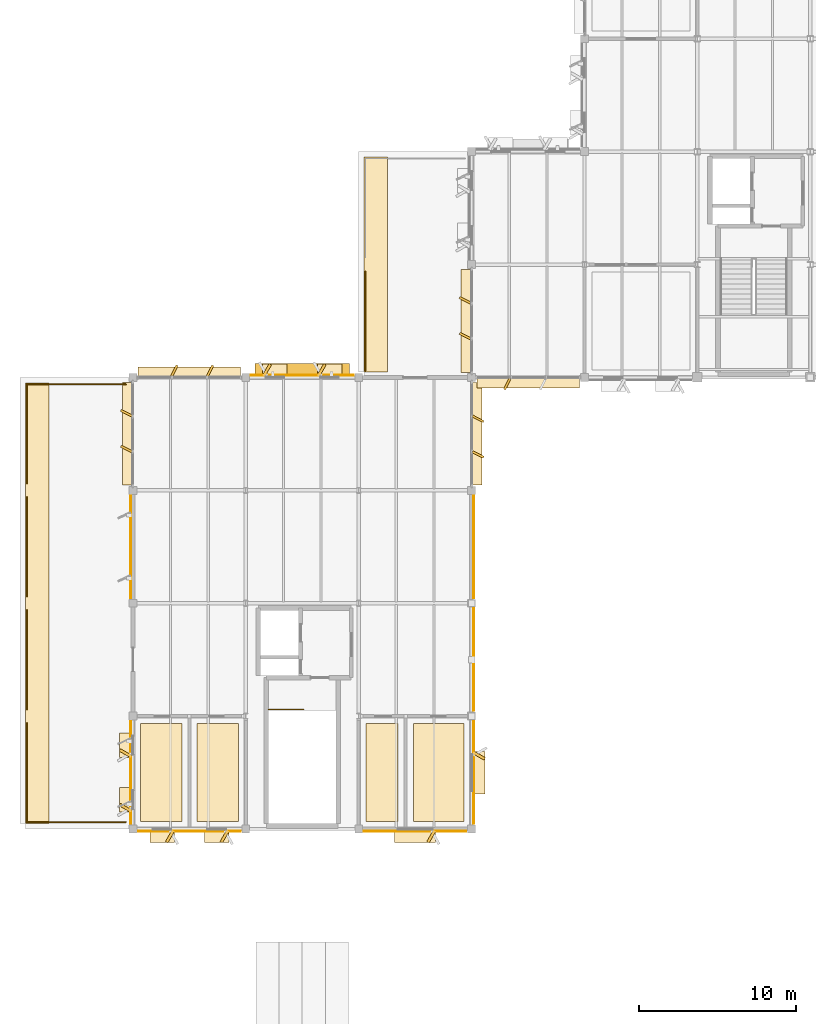
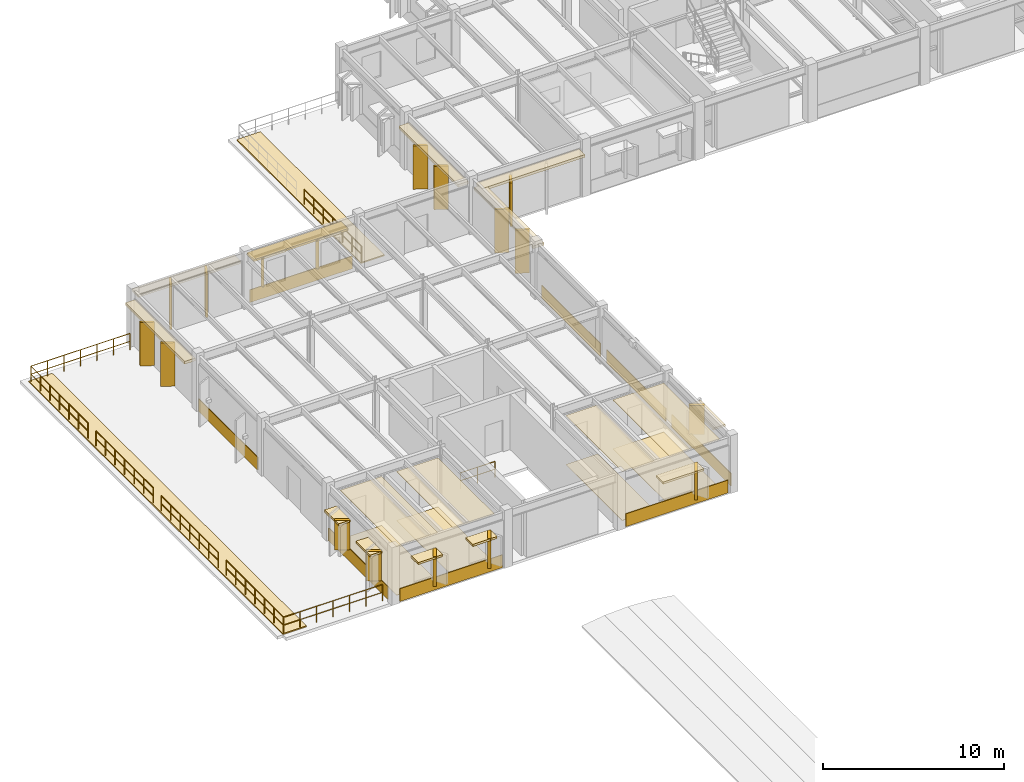
# One storey, part 31 of 35: 48 coverings, 8 railings, 1 shading device.
"""IFC4 building model written with IfcOpenShell, lengths in metres."""

from ifc_helpers import new_model, si_unit, direction, frame, frame_2d, origin, origin_2d, place, context, subcontext, project, spatial, polyline, rectangle, circle, outline, extrude, material, layer, layer_set, type_object, element, save


model = new_model("IFC4")

# Units and contexts
model_context = context("Model", 3, precision=1e-05, world=origin(), true_north=direction((0.0, 1.0)))
body_context = subcontext(model_context, "Body", "Model", "MODEL_VIEW")
ifc_project = project(units=[si_unit("LENGTHUNIT", "METRE"), si_unit("AREAUNIT", "SQUARE_METRE"), si_unit("VOLUMEUNIT", "CUBIC_METRE"), si_unit("PLANEANGLEUNIT", "RADIAN"), si_unit("MASSUNIT", "GRAM", prefix="KILO")], contexts=[model_context])

# Site, building, storey
site_placement = place(None, origin())
site = spatial("IfcSite", under=ifc_project, at=site_placement, CompositionType="ELEMENT")
building_placement = place(site_placement, origin())
building = spatial("IfcBuilding", under=site, at=building_placement, Name="Sillqori Civic Hall", CompositionType="ELEMENT")
storey_placement = place(building_placement, frame((0.0, 0.0, 18.0)))
storey = spatial("IfcBuildingStorey", under=building, at=storey_placement, Name="L05", CompositionType="ELEMENT", Elevation=18.0)

# Coverings
ifc_material_1 = material(Name="Perforated Acoustic Gypsum Board Ceiling", Category="gypsum")
ifc_layer_1 = layer(ifc_material_1, 0.030029296875)
ifc_layer_set_1 = layer_set([ifc_layer_1], Name="Perforated Acoustic Gypsum Board Ceiling")
covering_type_1 = type_object("IfcCoveringType", Name="COV-CEIL-GYP", PredefinedType="CEILING", material=ifc_layer_set_1)
covering_1_placement = place(storey_placement, frame((0.0, 0.0, 3.2958984375)))
element("IfcCovering", 1, at=covering_1_placement, inside=storey, type_object=covering_type_1, Name="L05 Public Male WC acoustic ceiling", PredefinedType="CEILING", context=body_context, shape_type="SweptSolid", body=[
    extrude(outline(polyline([(14.8798828125, 50.8798828125), (17.52001953125, 50.8798828125), (17.52001953125, 57.1201171875), (14.8798828125, 57.1201171875), (14.8798828125, 50.8798828125)])), origin(), (0.0, 0.0, 1.0), 0.030029296875),
])
ifc_material_2 = material(Name="Micro-Perforated Aluminium Plank Ceiling", Category="aluminium")
ifc_layer_2 = layer(ifc_material_2, 0.035888671875)
ifc_layer_set_2 = layer_set([ifc_layer_2], Name="Micro-Perforated Aluminium Plank Ceiling")
covering_type_2 = type_object("IfcCoveringType", Name="COV-CEIL-MET", PredefinedType="CEILING", material=ifc_layer_set_2)
covering_2_placement = place(storey_placement, frame((0.0, 0.0, 3.2900390625)))
element("IfcCovering", 2, at=covering_2_placement, inside=storey, type_object=covering_type_2, Name="L05 Staff Sanitary and Cleaners Room acoustic ceiling", PredefinedType="CEILING", context=body_context, shape_type="SweptSolid", body=[
    extrude(outline(polyline([(32.280029296875, 50.8798828125), (35.52001953125, 50.8798828125), (35.52001953125, 57.1201171875), (32.280029296875, 57.1201171875), (32.280029296875, 50.8798828125)])), origin(), (0.0, 0.0, 1.0), 0.035888671875),
])
ifc_material_3 = material(Name="Mineral-Fibre High-NRC Tile Ceiling", Category="gypsum")
ifc_layer_3 = layer(ifc_material_3, 0.02392578125)
ifc_layer_set_3 = layer_set([ifc_layer_3], Name="Mineral-Fibre High-NRC Tile Ceiling")
covering_type_3 = type_object("IfcCoveringType", Name="COV-CEIL-MIN", PredefinedType="CEILING", material=ifc_layer_set_3)
covering_3_placement = place(storey_placement, frame((0.0, 0.0, 3.302001953125)))
element("IfcCovering", 3, at=covering_3_placement, inside=storey, type_object=covering_type_3, Name="L05 Accessible WC acoustic ceiling", PredefinedType="CEILING", context=body_context, shape_type="SweptSolid", body=[
    extrude(outline(polyline([(29.280029296875, 50.8798828125), (31.320068359375, 50.8798828125), (31.320068359375, 57.1201171875), (29.280029296875, 57.1201171875), (29.280029296875, 50.8798828125)])), origin(), (0.0, 0.0, 1.0), 0.02392578125),
])
ifc_material_4 = material(Name="Slatted Andean Cedar Acoustic Baffle", Category="timber")
ifc_layer_4 = layer(ifc_material_4, 0.0419921875)
ifc_layer_set_4 = layer_set([ifc_layer_4], Name="Slatted Andean Cedar Acoustic Baffle")
covering_type_4 = type_object("IfcCoveringType", Name="COV-CEIL-TIM", PredefinedType="CEILING", material=ifc_layer_set_4)
covering_4_placement = place(storey_placement, frame((0.0, 0.0, 3.283935546875)))
element("IfcCovering", 4, at=covering_4_placement, inside=storey, type_object=covering_type_4, Name="L05 Public Female WC acoustic ceiling", PredefinedType="CEILING", context=body_context, shape_type="SweptSolid", body=[
    extrude(outline(polyline([(18.47998046875, 50.8798828125), (21.1201171875, 50.8798828125), (21.1201171875, 57.1201171875), (18.47998046875, 57.1201171875), (18.47998046875, 50.8798828125)])), origin(), (0.0, 0.0, 1.0), 0.0419921875),
])
ifc_material_5 = material(Name="Cochabamba Honed Limestone Cladding", Category="masonry")
ifc_layer_5 = layer(ifc_material_5, 0.044921875)
ifc_layer_set_5 = layer_set([ifc_layer_5], Name="Cochabamba Honed Limestone Cladding")
covering_type_5 = type_object("IfcCoveringType", Name="COV-CLAD-LIME", PredefinedType="CLADDING", material=ifc_layer_set_5)
covering_5_placement = place(storey_placement, frame((21.27001953125, 50.260009765625, 0.0400390625), z_axis=(0.0, 0.0, 1.0), x_axis=(-1.0, 0.0, 0.0)))
element("IfcCovering", 5, at=covering_5_placement, inside=storey, type_object=covering_type_5, Name="L05 limestone spandrel cladding L05-02-07-S", PredefinedType="CLADDING", context=body_context, shape_type="SweptSolid", body=[
    extrude(rectangle(XDim=6.5400390625, YDim=0.044921875, at=frame_2d((3.27001953125, 0.0))), origin(), (0.0, 0.0, 1.0), 0.85986328125),
])
covering_6_placement = place(storey_placement, frame((20.4619140625, 50.300048828125, 0.830078125), z_axis=(0.0, 0.0, 1.0), x_axis=(-0.499846793097, -0.866113839764, 0.0)))
element("IfcCovering", 6, at=covering_6_placement, inside=storey, type_object=covering_type_5, Name="Sawtooth limestone angled reveal cheek L05-02-07-S.1", PredefinedType="CLADDING", context=body_context, shape_type="SweptSolid", body=[
    extrude(rectangle(XDim=0.849853515625, YDim=0.179931640625, at=frame_2d((0.4248046875, 0.0))), origin(), (0.0, 0.0, 1.0), 2.0),
])
covering_7_placement = place(storey_placement, frame((20.52197265625, 49.919921875, 2.68994140625), z_axis=(0.0, 0.0, 1.0), x_axis=(-1.0, 0.0, 0.0)))
element("IfcCovering", 7, at=covering_7_placement, inside=storey, type_object=covering_type_5, Name="Sawtooth limestone window hood L05-02-07-S.1", PredefinedType="CLADDING", context=body_context, shape_type="SweptSolid", body=[
    extrude(rectangle(XDim=1.56005859375, YDim=0.780029296875, at=frame_2d((0.780029296875, 0.0))), origin(), (0.0, 0.0, 1.0), 0.14013671875),
])
covering_8_placement = place(storey_placement, frame((16.97802734375, 50.300048828125, 0.830078125), z_axis=(0.0, 0.0, 1.0), x_axis=(-0.500062241894, -0.865989465428, 0.0)))
element("IfcCovering", 8, at=covering_8_placement, inside=storey, type_object=covering_type_5, Name="Sawtooth limestone angled reveal cheek L05-02-07-S.2", PredefinedType="CLADDING", context=body_context, shape_type="SweptSolid", body=[
    extrude(rectangle(XDim=0.85009765625, YDim=0.179931640625, at=frame_2d((0.425048828125, 0.0))), origin(), (0.0, 0.0, 1.0), 2.0),
])
covering_9_placement = place(storey_placement, frame((17.0380859375, 49.919921875, 2.68994140625), z_axis=(0.0, 0.0, 1.0), x_axis=(-1.0, 0.0, 0.0)))
element("IfcCovering", 9, at=covering_9_placement, inside=storey, type_object=covering_type_5, Name="Sawtooth limestone window hood L05-02-07-S.2", PredefinedType="CLADDING", context=body_context, shape_type="SweptSolid", body=[
    extrude(rectangle(XDim=1.56005859375, YDim=0.780029296875, at=frame_2d((0.780029296875, 0.0))), origin(), (0.0, 0.0, 1.0), 0.14013671875),
])
covering_10_placement = place(storey_placement, frame((14.260009765625, 50.72998046875, 0.0400390625), z_axis=(0.0, 0.0, 1.0), x_axis=(0.0, 1.0, 0.0)))
element("IfcCovering", 10, at=covering_10_placement, inside=storey, type_object=covering_type_5, Name="L05 limestone spandrel cladding L05-02-07-W", PredefinedType="CLADDING", context=body_context, shape_type="SweptSolid", body=[
    extrude(rectangle(XDim=6.5400390625, YDim=0.044921875, at=frame_2d((3.27001953125, 0.0))), origin(), (0.0, 0.0, 1.0), 0.85986328125),
])
covering_11_placement = place(storey_placement, frame((14.300048828125, 51.5380859375, 0.830078125), z_axis=(0.0, 0.0, 1.0), x_axis=(-0.866113839764, 0.499846793097, 0.0)))
element("IfcCovering", 11, at=covering_11_placement, inside=storey, type_object=covering_type_5, Name="Sawtooth limestone angled reveal cheek L05-02-07-W.1", PredefinedType="CLADDING", context=body_context, shape_type="SweptSolid", body=[
    extrude(rectangle(XDim=0.849853515625, YDim=0.179931640625, at=frame_2d((0.4248046875, 0.0))), origin(), (0.0, 0.0, 1.0), 2.0),
])
covering_12_placement = place(storey_placement, frame((13.919921875, 51.47802734375, 2.68994140625), z_axis=(0.0, 0.0, 1.0), x_axis=(0.0, 1.0, 0.0)))
element("IfcCovering", 12, at=covering_12_placement, inside=storey, type_object=covering_type_5, Name="Sawtooth limestone window hood L05-02-07-W.1", PredefinedType="CLADDING", context=body_context, shape_type="SweptSolid", body=[
    extrude(rectangle(XDim=1.56005859375, YDim=0.780029296875, at=frame_2d((0.780029296875, 0.0))), origin(), (0.0, 0.0, 1.0), 0.14013671875),
])
covering_13_placement = place(storey_placement, frame((14.300048828125, 55.02197265625, 0.830078125), z_axis=(0.0, 0.0, 1.0), x_axis=(-0.865989465428, 0.500062241894, 0.0)))
element("IfcCovering", 13, at=covering_13_placement, inside=storey, type_object=covering_type_5, Name="Sawtooth limestone angled reveal cheek L05-02-07-W.2", PredefinedType="CLADDING", context=body_context, shape_type="SweptSolid", body=[
    extrude(rectangle(XDim=0.85009765625, YDim=0.179931640625, at=frame_2d((0.425048828125, 0.0))), origin(), (0.0, 0.0, 1.0), 2.0),
])
covering_14_placement = place(storey_placement, frame((13.919921875, 54.9619140625, 2.68994140625), z_axis=(0.0, 0.0, 1.0), x_axis=(0.0, 1.0, 0.0)))
element("IfcCovering", 14, at=covering_14_placement, inside=storey, type_object=covering_type_5, Name="Sawtooth limestone window hood L05-02-07-W.2", PredefinedType="CLADDING", context=body_context, shape_type="SweptSolid", body=[
    extrude(rectangle(XDim=1.56005859375, YDim=0.780029296875, at=frame_2d((0.780029296875, 0.0))), origin(), (0.0, 0.0, 1.0), 0.14013671875),
])
covering_15_placement = place(storey_placement, frame((14.260009765625, 65.1298828125, 0.0400390625), z_axis=(0.0, 0.0, 1.0), x_axis=(0.0, 1.0, 0.0)))
element("IfcCovering", 15, at=covering_15_placement, inside=storey, type_object=covering_type_5, Name="L05 limestone spandrel cladding L05-02-09-W", PredefinedType="CLADDING", context=body_context, shape_type="SweptSolid", body=[
    extrude(rectangle(XDim=6.5400390625, YDim=0.044921875, at=frame_2d((3.27001953125, 0.0))), origin(), (0.0, 0.0, 1.0), 0.85986328125),
])
covering_16_placement = place(storey_placement, frame((14.72998046875, 79.52001953125, 2.991943359375), z_axis=(0.0, 0.0, 1.0), x_axis=(1.0, 0.0, 0.0)))
element("IfcCovering", 16, at=covering_16_placement, inside=storey, type_object=covering_type_5, Name="L05 curtain-wall limestone solar hood L05-02-10-N", PredefinedType="CLADDING", context=body_context, shape_type="SweptSolid", body=[
    extrude(rectangle(XDim=6.5400390625, YDim=0.679931640625, at=frame_2d((3.27001953125, 0.0))), origin(), (0.0, 0.0, 1.0), 0.18017578125),
])
for number, where, z_axis, x_axis, name in (
    (17, (16.861083984375, 79.25, 0.06005859375), (0.0, 0.0, 1.0), (0.44709226377, 0.894487846579, 0.0), "L05 curtain-wall angled stone fin L05-02-10-N.1"),
    (18, (19.138916015625, 79.25, 0.06005859375), (0.0, 0.0, 1.0), (0.447334902547, 0.894366527193, 0.0), "L05 curtain-wall angled stone fin L05-02-10-N.2"),
):
    element("IfcCovering", number, at=place(storey_placement, frame(where, z_axis=z_axis, x_axis=x_axis)), inside=storey, type_object=covering_type_5, Name=name, PredefinedType="CLADDING", context=body_context, shape_type="SweptSolid", body=[
        extrude(rectangle(XDim=0.804931640625, YDim=0.139892578125, at=frame_2d((0.40234375, 0.0))), origin(), (0.0, 0.0, 1.0), 2.931884765625),
    ])
covering_17_placement = place(storey_placement, frame((14.080078125, 72.330078125, 2.991943359375), z_axis=(0.0, 0.0, 1.0), x_axis=(0.0, 1.0, 0.0)))
element("IfcCovering", 19, at=covering_17_placement, inside=storey, type_object=covering_type_5, Name="L05 curtain-wall limestone solar hood L05-02-10-W", PredefinedType="CLADDING", context=body_context, shape_type="SweptSolid", body=[
    extrude(rectangle(XDim=6.5400390625, YDim=0.679931640625, at=frame_2d((3.27001953125, 0.0))), origin(), (0.0, 0.0, 1.0), 0.18017578125),
])
for number, where, z_axis, x_axis, name in (
    (20, (14.35009765625, 74.4609375, 0.06005859375), (0.0, 0.0, 1.0), (-0.894427191, 0.4472135955, 0.0), "L05 curtain-wall angled stone fin L05-02-10-W.1"),
    (21, (14.35009765625, 76.739013671875, 0.06005859375), (0.0, 0.0, 1.0), (-0.894427191, 0.4472135955, 0.0), "L05 curtain-wall angled stone fin L05-02-10-W.2"),
):
    element("IfcCovering", number, at=place(storey_placement, frame(where, z_axis=z_axis, x_axis=x_axis)), inside=storey, type_object=covering_type_5, Name=name, PredefinedType="CLADDING", context=body_context, shape_type="SweptSolid", body=[
        extrude(rectangle(XDim=0.80517578125, YDim=0.139892578125, at=frame_2d((0.402587890625, 0.0))), origin(), (0.0, 0.0, 1.0), 2.931884765625),
    ])
covering_18_placement = place(storey_placement, frame((21.929931640625, 79.340087890625, 0.0400390625), z_axis=(0.0, 0.0, 1.0), x_axis=(1.0, 0.0, 0.0)))
element("IfcCovering", 22, at=covering_18_placement, inside=storey, type_object=covering_type_5, Name="L05 limestone spandrel cladding L05-03-10-N", PredefinedType="CLADDING", context=body_context, shape_type="SweptSolid", body=[
    extrude(rectangle(XDim=6.5400390625, YDim=0.044921875, at=frame_2d((3.27001953125, 0.0))), origin(), (0.0, 0.0, 1.0), 0.85986328125),
])
covering_19_placement = place(storey_placement, frame((22.738037109375, 79.300048828125, 0.830078125), z_axis=(0.0, 0.0, 1.0), x_axis=(0.500062241894, 0.865989465428, 0.0)))
element("IfcCovering", 23, at=covering_19_placement, inside=storey, type_object=covering_type_5, Name="Sawtooth limestone angled reveal cheek L05-03-10-N.1", PredefinedType="CLADDING", context=body_context, shape_type="SweptSolid", body=[
    extrude(rectangle(XDim=0.85009765625, YDim=0.179931640625, at=frame_2d((0.425048828125, 0.0))), origin(), (0.0, 0.0, 1.0), 2.0),
])
covering_20_placement = place(storey_placement, frame((22.677978515625, 79.679931640625, 2.68994140625), z_axis=(0.0, 0.0, 1.0), x_axis=(1.0, 0.0, 0.0)))
element("IfcCovering", 24, at=covering_20_placement, inside=storey, type_object=covering_type_5, Name="Sawtooth limestone window hood L05-03-10-N.1", PredefinedType="CLADDING", context=body_context, shape_type="SweptSolid", body=[
    extrude(rectangle(XDim=1.56005859375, YDim=0.780029296875, at=frame_2d((0.780029296875, 0.0))), origin(), (0.0, 0.0, 1.0), 0.14013671875),
])
covering_21_placement = place(storey_placement, frame((26.221923828125, 79.300048828125, 0.830078125), z_axis=(0.0, 0.0, 1.0), x_axis=(0.500062241894, 0.865989465428, 0.0)))
element("IfcCovering", 25, at=covering_21_placement, inside=storey, type_object=covering_type_5, Name="Sawtooth limestone angled reveal cheek L05-03-10-N.2", PredefinedType="CLADDING", context=body_context, shape_type="SweptSolid", body=[
    extrude(rectangle(XDim=0.85009765625, YDim=0.179931640625, at=frame_2d((0.425048828125, 0.0))), origin(), (0.0, 0.0, 1.0), 2.0),
])
covering_22_placement = place(storey_placement, frame((26.162109375, 79.679931640625, 2.68994140625), z_axis=(0.0, 0.0, 1.0), x_axis=(1.0, 0.0, 0.0)))
element("IfcCovering", 26, at=covering_22_placement, inside=storey, type_object=covering_type_5, Name="Sawtooth limestone window hood L05-03-10-N.2", PredefinedType="CLADDING", context=body_context, shape_type="SweptSolid", body=[
    extrude(rectangle(XDim=1.559814453125, YDim=0.780029296875, at=frame_2d((0.77978515625, 0.0))), origin(), (0.0, 0.0, 1.0), 0.14013671875),
])
covering_23_placement = place(storey_placement, frame((35.669921875, 50.260009765625, 0.0400390625), z_axis=(0.0, 0.0, 1.0), x_axis=(-1.0, 0.0, 0.0)))
element("IfcCovering", 27, at=covering_23_placement, inside=storey, type_object=covering_type_5, Name="L05 limestone spandrel cladding L05-04-07-S", PredefinedType="CLADDING", context=body_context, shape_type="SweptSolid", body=[
    extrude(rectangle(XDim=6.5400390625, YDim=0.044921875, at=frame_2d((3.27001953125, 0.0))), origin(), (0.0, 0.0, 1.0), 0.85986328125),
])
covering_24_placement = place(storey_placement, frame((33.64501953125, 50.300048828125, 0.830078125), z_axis=(0.0, 0.0, 1.0), x_axis=(-0.500062241894, -0.865989465428, 0.0)))
element("IfcCovering", 28, at=covering_24_placement, inside=storey, type_object=covering_type_5, Name="Sawtooth limestone angled reveal cheek L05-04-07-S.1", PredefinedType="CLADDING", context=body_context, shape_type="SweptSolid", body=[
    extrude(rectangle(XDim=0.85009765625, YDim=0.179931640625, at=frame_2d((0.425048828125, 0.0))), origin(), (0.0, 0.0, 1.0), 1.949951171875),
])
covering_25_placement = place(storey_placement, frame((33.705078125, 49.919921875, 2.639892578125), z_axis=(0.0, 0.0, 1.0), x_axis=(-1.0, 0.0, 0.0)))
element("IfcCovering", 29, at=covering_25_placement, inside=storey, type_object=covering_type_5, Name="Sawtooth limestone window hood L05-04-07-S.1", PredefinedType="CLADDING", context=body_context, shape_type="SweptSolid", body=[
    extrude(rectangle(XDim=2.610107421875, YDim=0.780029296875, at=frame_2d((1.30517578125, 0.0))), origin(), (0.0, 0.0, 1.0), 0.14013671875),
])
covering_26_placement = place(storey_placement, frame((36.139892578125, 57.27001953125, 0.0400390625), z_axis=(0.0, 0.0, 1.0), x_axis=(0.0, -1.0, 0.0)))
element("IfcCovering", 30, at=covering_26_placement, inside=storey, type_object=covering_type_5, Name="L05 limestone spandrel cladding L05-04-07-E", PredefinedType="CLADDING", context=body_context, shape_type="SweptSolid", body=[
    extrude(rectangle(XDim=6.5400390625, YDim=0.044921875, at=frame_2d((3.27001953125, 0.0))), origin(), (0.0, 0.0, 1.0), 0.85986328125),
])
covering_27_placement = place(storey_placement, frame((36.10009765625, 55.294921875, 0.830078125), z_axis=(0.0, 0.0, 1.0), x_axis=(0.866113839764, -0.499846793097, 0.0)))
element("IfcCovering", 31, at=covering_27_placement, inside=storey, type_object=covering_type_5, Name="Sawtooth limestone angled reveal cheek L05-04-07-E.1", PredefinedType="CLADDING", context=body_context, shape_type="SweptSolid", body=[
    extrude(rectangle(XDim=0.849853515625, YDim=0.179931640625, at=frame_2d((0.4248046875, 0.0))), origin(), (0.0, 0.0, 1.0), 1.949951171875),
])
covering_28_placement = place(storey_placement, frame((36.47998046875, 55.35498046875, 2.639892578125), z_axis=(0.0, 0.0, 1.0), x_axis=(0.0, -1.0, 0.0)))
element("IfcCovering", 32, at=covering_28_placement, inside=storey, type_object=covering_type_5, Name="Sawtooth limestone window hood L05-04-07-E.1", PredefinedType="CLADDING", context=body_context, shape_type="SweptSolid", body=[
    extrude(rectangle(XDim=2.7099609375, YDim=0.780029296875, at=frame_2d((1.35498046875, 0.0))), origin(), (0.0, 0.0, 1.0), 0.14013671875),
])
for number, where, z_axis, x_axis, name in (
    (33, (36.139892578125, 64.469970703125, 0.0400390625), (0.0, 0.0, 1.0), (0.0, -1.0, 0.0), "L05 limestone spandrel cladding L05-04-08-E"),
    (34, (36.139892578125, 71.669921875, 0.0400390625), (0.0, 0.0, 1.0), (0.0, -1.0, 0.0), "L05 limestone spandrel cladding L05-04-09-E"),
):
    element("IfcCovering", number, at=place(storey_placement, frame(where, z_axis=z_axis, x_axis=x_axis)), inside=storey, type_object=covering_type_5, Name=name, PredefinedType="CLADDING", context=body_context, shape_type="SweptSolid", body=[
        extrude(rectangle(XDim=6.5400390625, YDim=0.044921875, at=frame_2d((3.27001953125, 0.0))), origin(), (0.0, 0.0, 1.0), 0.85986328125),
    ])
covering_29_placement = place(storey_placement, frame((36.320068359375, 78.8701171875, 2.991943359375), z_axis=(0.0, 0.0, 1.0), x_axis=(0.0, -1.0, 0.0)))
element("IfcCovering", 35, at=covering_29_placement, inside=storey, type_object=covering_type_5, Name="L05 curtain-wall limestone solar hood L05-04-10-E", PredefinedType="CLADDING", context=body_context, shape_type="SweptSolid", body=[
    extrude(rectangle(XDim=6.5400390625, YDim=0.679931640625, at=frame_2d((3.27001953125, 0.0))), origin(), (0.0, 0.0, 1.0), 0.18017578125),
])
for number, where, z_axis, x_axis, name in (
    (36, (36.050048828125, 76.739013671875, 0.06005859375), (0.0, 0.0, 1.0), (0.894366527193, -0.447334902547, 0.0), "L05 curtain-wall angled stone fin L05-04-10-E.1"),
    (37, (36.050048828125, 74.4609375, 0.06005859375), (0.0, 0.0, 1.0), (0.894487846579, -0.44709226377, 0.0), "L05 curtain-wall angled stone fin L05-04-10-E.2"),
):
    element("IfcCovering", number, at=place(storey_placement, frame(where, z_axis=z_axis, x_axis=x_axis)), inside=storey, type_object=covering_type_5, Name=name, PredefinedType="CLADDING", context=body_context, shape_type="SweptSolid", body=[
        extrude(rectangle(XDim=0.804931640625, YDim=0.139892578125, at=frame_2d((0.40234375, 0.0))), origin(), (0.0, 0.0, 1.0), 2.931884765625),
    ])
covering_30_placement = place(storey_placement, frame((42.8701171875, 78.8798828125, 2.991943359375), z_axis=(0.0, 0.0, 1.0), x_axis=(-1.0, 0.0, 0.0)))
element("IfcCovering", 38, at=covering_30_placement, inside=storey, type_object=covering_type_5, Name="L05 curtain-wall limestone solar hood L05-05-11-S", PredefinedType="CLADDING", context=body_context, shape_type="SweptSolid", body=[
    extrude(rectangle(XDim=6.5400390625, YDim=0.679931640625, at=frame_2d((3.27001953125, 0.0))), origin(), (0.0, 0.0, 1.0), 0.18017578125),
])
covering_31_placement = place(storey_placement, frame((38.4609375, 79.14990234375, 0.06005859375), z_axis=(0.0, 0.0, 1.0), x_axis=(-0.44709226377, -0.894487846579, 0.0)))
element("IfcCovering", 39, at=covering_31_placement, inside=storey, type_object=covering_type_5, Name="L05 curtain-wall angled stone fin L05-05-11-S.2", PredefinedType="CLADDING", context=body_context, shape_type="SweptSolid", body=[
    extrude(rectangle(XDim=0.804931640625, YDim=0.139892578125, at=frame_2d((0.40234375, 0.0))), origin(), (0.0, 0.0, 1.0), 2.931884765625),
])
covering_32_placement = place(storey_placement, frame((35.679931640625, 79.530029296875, 2.991943359375), z_axis=(0.0, 0.0, 1.0), x_axis=(0.0, 1.0, 0.0)))
element("IfcCovering", 40, at=covering_32_placement, inside=storey, type_object=covering_type_5, Name="L05 curtain-wall limestone solar hood L05-05-11-W", PredefinedType="CLADDING", context=body_context, shape_type="SweptSolid", body=[
    extrude(rectangle(XDim=6.5400390625, YDim=0.679931640625, at=frame_2d((3.27001953125, 0.0))), origin(), (0.0, 0.0, 1.0), 0.18017578125),
])
for number, where, z_axis, x_axis, name in (
    (41, (35.949951171875, 81.660888671875, 0.06005859375), (0.0, 0.0, 1.0), (-0.894366527193, 0.447334902547, 0.0), "L05 curtain-wall angled stone fin L05-05-11-W.1"),
    (42, (35.949951171875, 83.93896484375, 0.06005859375), (0.0, 0.0, 1.0), (-0.894366527193, 0.447334902547, 0.0), "L05 curtain-wall angled stone fin L05-05-11-W.2"),
):
    element("IfcCovering", number, at=place(storey_placement, frame(where, z_axis=z_axis, x_axis=x_axis)), inside=storey, type_object=covering_type_5, Name=name, PredefinedType="CLADDING", context=body_context, shape_type="SweptSolid", body=[
        extrude(rectangle(XDim=0.804931640625, YDim=0.139892578125, at=frame_2d((0.40234375, 0.0))), origin(), (0.0, 0.0, 1.0), 2.931884765625),
    ])
ifc_material_6 = material(Name="Slip-Resistant R11 Porcelain Tile", Category="ceramic")
ifc_layer_6 = layer(ifc_material_6, 0.02001953125)
ifc_layer_set_6 = layer_set([ifc_layer_6], Name="Slip-Resistant R11 Porcelain Tile")
covering_type_6 = type_object("IfcCoveringType", Name="COV-FLR-POR", PredefinedType="FLOORING", material=ifc_layer_set_6)
covering_33_placement = place(storey_placement, origin())
element("IfcCovering", 43, at=covering_33_placement, inside=storey, type_object=covering_type_6, Name="L05 Public Male WC floor finish", PredefinedType="FLOORING", context=body_context, shape_type="SweptSolid", body=[
    extrude(outline(polyline([(14.8798828125, 50.8798828125), (17.52001953125, 50.8798828125), (17.52001953125, 57.1201171875), (14.8798828125, 57.1201171875), (14.8798828125, 50.8798828125)])), origin(), (0.0, 0.0, 1.0), 0.02001953125),
])
covering_34_placement = place(storey_placement, origin())
element("IfcCovering", 44, at=covering_34_placement, inside=storey, type_object=covering_type_6, Name="L05 Public Female WC floor finish", PredefinedType="FLOORING", context=body_context, shape_type="SweptSolid", body=[
    extrude(outline(polyline([(18.47998046875, 50.8798828125), (21.1201171875, 50.8798828125), (21.1201171875, 57.1201171875), (18.47998046875, 57.1201171875), (18.47998046875, 50.8798828125)])), origin(), (0.0, 0.0, 1.0), 0.02001953125),
])
covering_35_placement = place(storey_placement, origin())
element("IfcCovering", 45, at=covering_35_placement, inside=storey, type_object=covering_type_6, Name="L05 Accessible WC floor finish", PredefinedType="FLOORING", context=body_context, shape_type="SweptSolid", body=[
    extrude(outline(polyline([(29.280029296875, 50.8798828125), (31.320068359375, 50.8798828125), (31.320068359375, 57.1201171875), (29.280029296875, 57.1201171875), (29.280029296875, 50.8798828125)])), origin(), (0.0, 0.0, 1.0), 0.02001953125),
])
covering_36_placement = place(storey_placement, origin())
element("IfcCovering", 46, at=covering_36_placement, inside=storey, type_object=covering_type_6, Name="L05 Staff Sanitary and Cleaners Room floor finish", PredefinedType="FLOORING", context=body_context, shape_type="SweptSolid", body=[
    extrude(outline(polyline([(32.280029296875, 50.8798828125), (35.52001953125, 50.8798828125), (35.52001953125, 57.1201171875), (32.280029296875, 57.1201171875), (32.280029296875, 50.8798828125)])), origin(), (0.0, 0.0, 1.0), 0.02001953125),
])
ifc_material_7 = material(Name="Extensive Andean Sedum Roof Substrate", Category="earth")
ifc_layer_7 = layer(ifc_material_7, 0.080078125)
ifc_layer_set_7 = layer_set([ifc_layer_7], Name="Extensive Andean Sedum Roof Substrate")
covering_type_7 = type_object("IfcCoveringType", Name="COV-ROOF-GRN", PredefinedType="ROOFING", material=ifc_layer_set_7)
covering_37_placement = place(storey_placement, origin())
element("IfcCovering", 47, at=covering_37_placement, inside=storey, type_object=covering_type_7, Name="West Directorate Roof Garden planted planter bed", PredefinedType="ROOFING", context=body_context, shape_type="SweptSolid", body=[
    extrude(outline(polyline([(7.550048828125, 50.75), (9.050048828125, 50.75), (9.050048828125, 78.85009765625), (7.550048828125, 78.85009765625), (7.550048828125, 50.75)])), origin(), (0.0, 0.0, 1.0), 0.080078125),
])
covering_38_placement = place(storey_placement, origin())
element("IfcCovering", 48, at=covering_38_placement, inside=storey, type_object=covering_type_7, Name="Engineering West Roof Garden planted planter bed", PredefinedType="ROOFING", context=body_context, shape_type="SweptSolid", body=[
    extrude(outline(polyline([(29.14990234375, 79.550048828125), (30.64990234375, 79.550048828125), (30.64990234375, 93.25), (29.14990234375, 93.25), (29.14990234375, 79.550048828125)])), origin(), (0.0, 0.0, 1.0), 0.080078125),
])

# Railings
ifc_material_8 = material(Name="Galvanized Painted Steel Guardrail", Category="steel")
ifc_layer_8 = layer(ifc_material_8, 0.050048828125)
ifc_layer_set_8 = layer_set([ifc_layer_8], Name="Galvanized Painted Steel Guardrail")
railing_type_1 = type_object("IfcRailingType", Name="RLG-CORE-110", PredefinedType="GUARDRAIL", material=ifc_layer_set_8)
railing_1_placement = place(storey_placement, frame((23.06005859375, 58.02001953125, 0.0)))
element("IfcRailing", 49, at=railing_1_placement, inside=storey, type_object=railing_type_1, Name="L05 ST-04 top well guard 1", PredefinedType="GUARDRAIL", context=body_context, shape_type="SweptSolid", body=[
    extrude(circle(Radius=0.02392578125, at=origin_2d()), frame((0.0, 0.0, 1.076171875), z_axis=(1.0, 0.0, 0.0), x_axis=(0.0, 1.0, 0.0)), (0.0, 0.0, 1.0), 2.219970703125),
    extrude(circle(Radius=0.02392578125, at=origin_2d()), frame((0.0, 0.0, 0.550048828125), z_axis=(1.0, 0.0, 0.0), x_axis=(0.0, 1.0, 0.0)), (0.0, 0.0, 1.0), 2.219970703125),
    extrude(circle(Radius=0.02099609375, at=origin_2d()), origin(), (0.0, 0.0, 1.0), 1.052001953125),
    extrude(circle(Radius=0.02099609375, at=origin_2d()), frame((1.10986328125, 0.0, 0.0)), (0.0, 0.0, 1.0), 1.052001953125),
    extrude(circle(Radius=0.02099609375, at=origin_2d()), frame((2.219970703125, 0.0, 0.0)), (0.0, 0.0, 1.0), 1.052001953125),
])
ifc_material_9 = material(Name="Stainless Steel 316 and Laminated Balustrade", Category="steel")
ifc_layer_9 = layer(ifc_material_9, 0.06005859375)
ifc_layer_set_9 = layer_set([ifc_layer_9], Name="Stainless Steel 316 and Laminated Balustrade")
railing_type_2 = type_object("IfcRailingType", Name="RLG-TERR-112", PredefinedType="GUARDRAIL", material=ifc_layer_set_9)
for number, where, name in (
    (50, (7.639892578125, 50.840087890625, 0.0), "West Directorate Roof Garden perimeter guard S-01"),
    (51, (7.639892578125, 78.760009765625, 0.0), "West Directorate Roof Garden perimeter guard N-02"),
):
    element("IfcRailing", number, at=place(storey_placement, frame(where)), inside=storey, type_object=railing_type_2, Name=name, PredefinedType="GUARDRAIL", context=body_context, shape_type="SweptSolid", body=[
        extrude(circle(Radius=0.02392578125, at=origin_2d()), frame((0.0, 0.0, 1.09619140625), z_axis=(1.0, 0.0, 0.0), x_axis=(0.0, 1.0, 0.0)), (0.0, 0.0, 1.0), 6.320068359375),
        extrude(circle(Radius=0.02392578125, at=origin_2d()), frame((0.0, 0.0, 0.56005859375), z_axis=(1.0, 0.0, 0.0), x_axis=(0.0, 1.0, 0.0)), (0.0, 0.0, 1.0), 6.320068359375),
        extrude(circle(Radius=0.02099609375, at=origin_2d()), origin(), (0.0, 0.0, 1.0), 1.072021484375),
        extrude(circle(Radius=0.02099609375, at=origin_2d()), frame((1.05322265625, 0.0, 0.0)), (0.0, 0.0, 1.0), 1.072021484375),
        extrude(circle(Radius=0.02099609375, at=origin_2d()), frame((2.106689453125, 0.0, 0.0)), (0.0, 0.0, 1.0), 1.072021484375),
        extrude(circle(Radius=0.02099609375, at=origin_2d()), frame((3.16015625, 0.0, 0.0)), (0.0, 0.0, 1.0), 1.072021484375),
        extrude(circle(Radius=0.02099609375, at=origin_2d()), frame((4.21337890625, 0.0, 0.0)), (0.0, 0.0, 1.0), 1.072021484375),
        extrude(circle(Radius=0.02099609375, at=origin_2d()), frame((5.2666015625, 0.0, 0.0)), (0.0, 0.0, 1.0), 1.072021484375),
        extrude(circle(Radius=0.02099609375, at=origin_2d()), frame((6.320068359375, 0.0, 0.0)), (0.0, 0.0, 1.0), 1.072021484375),
    ])
railing_2_placement = place(storey_placement, frame((7.639892578125, 50.840087890625, 0.0)))
element("IfcRailing", 52, at=railing_2_placement, inside=storey, type_object=railing_type_2, Name="West Directorate Roof Garden perimeter guard W-03", PredefinedType="GUARDRAIL", context=body_context, shape_type="SweptSolid", body=[
    extrude(circle(Radius=0.02392578125, at=origin_2d()), frame((0.0, 0.0, 1.09619140625), z_axis=(0.0, 1.0, 0.0), x_axis=(-1.0, 0.0, 0.0)), (0.0, 0.0, 1.0), 6.31982421875),
    extrude(circle(Radius=0.02392578125, at=origin_2d()), frame((0.0, 0.0, 0.56005859375), z_axis=(0.0, 1.0, 0.0), x_axis=(-1.0, 0.0, 0.0)), (0.0, 0.0, 1.0), 6.31982421875),
    extrude(circle(Radius=0.02099609375, at=origin_2d()), origin(), (0.0, 0.0, 1.0), 1.072021484375),
    extrude(circle(Radius=0.02099609375, at=origin_2d()), frame((0.0, 1.05322265625, 0.0)), (0.0, 0.0, 1.0), 1.072021484375),
    extrude(circle(Radius=0.02099609375, at=origin_2d()), frame((0.0, 2.106689453125, 0.0)), (0.0, 0.0, 1.0), 1.072021484375),
    extrude(circle(Radius=0.02099609375, at=origin_2d()), frame((0.0, 3.159912109375, 0.0)), (0.0, 0.0, 1.0), 1.072021484375),
    extrude(circle(Radius=0.02099609375, at=origin_2d()), frame((0.0, 4.213134765625, 0.0)), (0.0, 0.0, 1.0), 1.072021484375),
    extrude(circle(Radius=0.02099609375, at=origin_2d()), frame((0.0, 5.2666015625, 0.0)), (0.0, 0.0, 1.0), 1.072021484375),
    extrude(circle(Radius=0.02099609375, at=origin_2d()), frame((0.0, 6.31982421875, 0.0)), (0.0, 0.0, 1.0), 1.072021484375),
])
for number, where, name in (
    (53, (7.639892578125, 58.0400390625, 0.0), "West Directorate Roof Garden perimeter guard W-04"),
    (54, (7.639892578125, 65.239990234375, 0.0), "West Directorate Roof Garden perimeter guard W-05"),
    (55, (7.639892578125, 72.43994140625, 0.0), "West Directorate Roof Garden perimeter guard W-06"),
    (56, (29.239990234375, 79.639892578125, 0.0), "Engineering West Roof Garden perimeter guard W-02"),
):
    element("IfcRailing", number, at=place(storey_placement, frame(where)), inside=storey, type_object=railing_type_2, Name=name, PredefinedType="GUARDRAIL", context=body_context, shape_type="SweptSolid", body=[
        extrude(circle(Radius=0.02392578125, at=origin_2d()), frame((0.0, 0.0, 1.09619140625), z_axis=(0.0, 1.0, 0.0), x_axis=(-1.0, 0.0, 0.0)), (0.0, 0.0, 1.0), 6.320068359375),
        extrude(circle(Radius=0.02392578125, at=origin_2d()), frame((0.0, 0.0, 0.56005859375), z_axis=(0.0, 1.0, 0.0), x_axis=(-1.0, 0.0, 0.0)), (0.0, 0.0, 1.0), 6.320068359375),
        extrude(circle(Radius=0.02099609375, at=origin_2d()), origin(), (0.0, 0.0, 1.0), 1.072021484375),
        extrude(circle(Radius=0.02099609375, at=origin_2d()), frame((0.0, 1.05322265625, 0.0)), (0.0, 0.0, 1.0), 1.072021484375),
        extrude(circle(Radius=0.02099609375, at=origin_2d()), frame((0.0, 2.106689453125, 0.0)), (0.0, 0.0, 1.0), 1.072021484375),
        extrude(circle(Radius=0.02099609375, at=origin_2d()), frame((0.0, 3.16015625, 0.0)), (0.0, 0.0, 1.0), 1.072021484375),
        extrude(circle(Radius=0.02099609375, at=origin_2d()), frame((0.0, 4.21337890625, 0.0)), (0.0, 0.0, 1.0), 1.072021484375),
        extrude(circle(Radius=0.02099609375, at=origin_2d()), frame((0.0, 5.2666015625, 0.0)), (0.0, 0.0, 1.0), 1.072021484375),
        extrude(circle(Radius=0.02099609375, at=origin_2d()), frame((0.0, 6.320068359375, 0.0)), (0.0, 0.0, 1.0), 1.072021484375),
    ])

# Shading device
ifc_material_10 = material(Name="Anodized Aluminium Solar Control Louvre", Category="aluminium")
shading_device_type = type_object("IfcShadingDeviceType", Name="SHD-HOOD-600", PredefinedType="JALOUSIE", material=ifc_material_10)
shading_device_placement = place(storey_placement, frame((25.199951171875, 79.695068359375, 2.72021484375), z_axis=(0.0, 0.0, 1.0), x_axis=(1.0, 0.0, 0.0)))
element("IfcShadingDevice", 57, at=shading_device_placement, inside=storey, type_object=shading_device_type, Name="L05 north solar hood L05-03-10-N", PredefinedType="JALOUSIE", context=body_context, shape_type="SweptSolid", body=[
    extrude(rectangle(XDim=6.0, YDim=0.780029296875, at=origin_2d()), origin(), (0.0, 0.0, 1.0), 0.139892578125),
])

save(model, "model.ifc")
